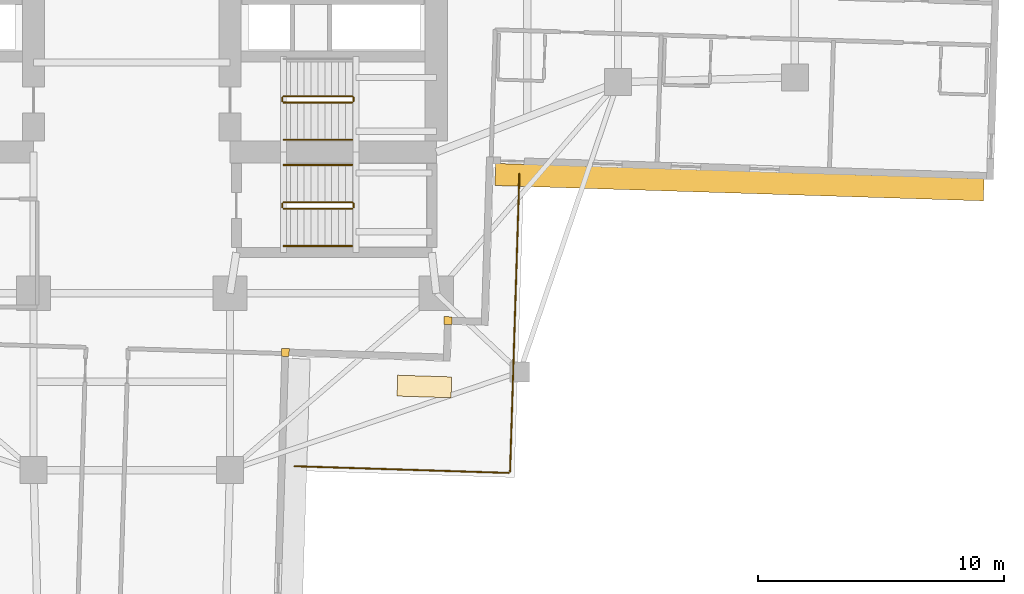
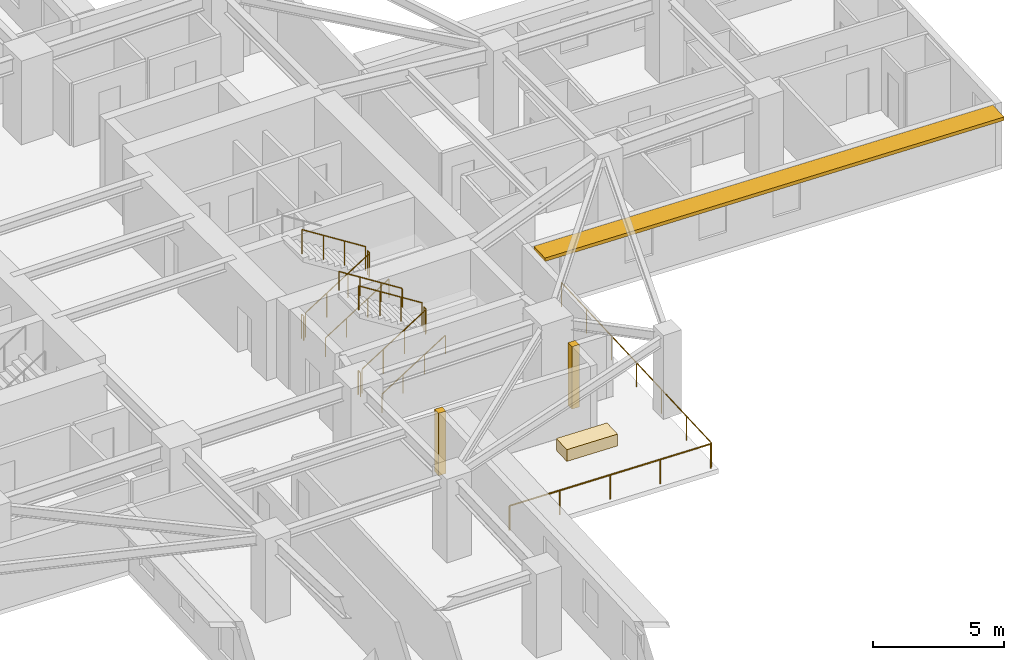
# One storey, part 11 of 13: 13 railings, 3 coverings, 1 shading device.
"""IFC4 building model written with IfcOpenShell, lengths in metres."""

from ifc_helpers import new_model, si_unit, direction, frame, origin, origin_2d, place, context, subcontext, project, spatial, rectangle, circle, extrude, material, layer, layer_set, type_object, element, save


model = new_model("IFC4")

# Units and contexts
model_context = context("Model", 3, precision=1e-05, world=origin(), true_north=direction((0.0, 1.0)))
body_context = subcontext(model_context, "Body", "Model", "MODEL_VIEW")
ifc_project = project(units=[si_unit("LENGTHUNIT", "METRE"), si_unit("AREAUNIT", "SQUARE_METRE"), si_unit("VOLUMEUNIT", "CUBIC_METRE"), si_unit("PLANEANGLEUNIT", "RADIAN"), si_unit("MASSUNIT", "GRAM", prefix="KILO")], contexts=[model_context])

# Site, building, storey
site_placement = place(None, origin())
site = spatial("IfcSite", under=ifc_project, at=site_placement, CompositionType="ELEMENT")
building_placement = place(site_placement, origin())
building = spatial("IfcBuilding", under=site, at=building_placement, Name="Qingluan Cross Belvedere", CompositionType="ELEMENT")
storey_placement = place(building_placement, frame((0.0, 0.0, 71.699951171875)))
storey = spatial("IfcBuildingStorey", under=building, at=storey_placement, Name="L18", CompositionType="ELEMENT", Elevation=71.699951171875)

# Coverings
ifc_material_1 = material(Name="Precast concrete C45", Category="concrete")
ifc_layer_1 = layer(ifc_material_1, 0.1201171875, Name="ConcreteSpandrelCladding_120")
ifc_layer_set_1 = layer_set([ifc_layer_1], Name="Precast concrete C45")
covering_type_1 = type_object("IfcCoveringType", Name="ConcreteSpandrelCladding_120", PredefinedType="CLADDING", material=ifc_layer_set_1)
for number, where, z_axis, x_axis, name in (
    (1, (12.875732421875, -13.711181640625, 0.0), (0.0, 0.0, 1.0), (0.999506560366, -0.031410759078, 0.0), "Corner closure L18-SE1"),
    (2, (6.251708984375, -15.00390625, 0.0), (0.0, 0.0, 1.0), (0.999506560366, -0.031410759078, 0.0), "Corner closure L18-SE2"),
):
    element("IfcCovering", number, at=place(storey_placement, frame(where, z_axis=z_axis, x_axis=x_axis)), inside=storey, type_object=covering_type_1, Name=name, PredefinedType="CLADDING", context=body_context, shape_type="SweptSolid", body=[
        extrude(rectangle(XDim=0.320068359375, YDim=0.320068359375, at=origin_2d()), origin(), (0.0, 0.0, 1.0), 2.909912109375),
    ])

# Shading device
ifc_material_2 = material(Name="Precast concrete C45", Category="concrete")
ifc_layer_2 = layer(ifc_material_2, 0.159912109375, Name="ConcreteSunshadeBand_900")
ifc_layer_set_2 = layer_set([ifc_layer_2], Name="Precast concrete C45")
shading_device_type = type_object("IfcShadingDeviceType", Name="ConcreteSunshadeBand_900", PredefinedType="USERDEFINED", material=ifc_layer_set_2)
shading_device_placement = place(storey_placement, frame((24.74853515625, -8.0712890625, 2.72998046875), z_axis=(0.0, 0.0, 1.0), x_axis=(0.999506649124, -0.031407934627, 0.0)))
element("IfcShadingDevice", 3, at=shading_device_placement, inside=storey, type_object=shading_device_type, Name="Concrete SUNSHADE L18-EA", ObjectType="SUNSHADE", PredefinedType="USERDEFINED", context=body_context, shape_type="SweptSolid", body=[
    extrude(rectangle(XDim=19.89990234375, YDim=0.89990234375, at=origin_2d()), origin(), (0.0, 0.0, 1.0), 0.159912109375),
])

# Railings
ifc_material_3 = material(Name="Brushed stainless steel tubular handrail", Category="steel")
railing_type_1 = type_object("IfcRailingType", Name="StairPitchHandrail_900", PredefinedType="HANDRAIL", material=ifc_material_3)
for number, where, name in (
    (4, (6.179931640625, -6.35009765625, 0.17724609375), "L18 ST2 stair handrail 1"),
    (5, (6.179931640625, -10.669921875, 0.17724609375), "L18 ST4 stair handrail 1"),
):
    element("IfcRailing", number, at=place(storey_placement, frame(where)), inside=storey, type_object=railing_type_1, Name=name, PredefinedType="HANDRAIL", context=body_context, shape_type="SweptSolid", body=[
        extrude(circle(Radius=0.02392578125, at=origin_2d()), frame((0.0, 0.0, 0.8759765625), z_axis=(0.844908973607, 0.0, 0.534910110503), x_axis=(0.0, 1.0, 0.0)), (0.0, 0.0, 1.0), 3.31396484375),
        extrude(circle(Radius=0.02099609375, at=origin_2d()), origin(), (0.0, 0.0, 1.0), 0.851806640625),
        extrude(circle(Radius=0.02099609375, at=origin_2d()), frame((0.933349609375, 0.0, 0.5908203125)), (0.0, 0.0, 1.0), 0.851806640625),
        extrude(circle(Radius=0.02099609375, at=origin_2d()), frame((1.86669921875, 0.0, 1.181884765625)), (0.0, 0.0, 1.0), 0.851806640625),
        extrude(circle(Radius=0.02099609375, at=origin_2d()), frame((2.800048828125, 0.0, 1.772705078125)), (0.0, 0.0, 1.0), 0.851806640625),
    ])
railing_1_placement = place(storey_placement, frame((8.97998046875, -7.3701171875, 2.12744140625)))
element("IfcRailing", 6, at=railing_1_placement, inside=storey, type_object=railing_type_1, Name="L18 ST4 stair handrail 2", PredefinedType="HANDRAIL", context=body_context, shape_type="SweptSolid", body=[
    extrude(circle(Radius=0.02392578125, at=origin_2d()), frame((0.0, 0.0, 0.8759765625), z_axis=(-0.844908973607, 0.0, 0.534910110503), x_axis=(0.0, -1.0, 0.0)), (0.0, 0.0, 1.0), 3.31396484375),
    extrude(circle(Radius=0.02099609375, at=origin_2d()), origin(), (0.0, 0.0, 1.0), 0.851806640625),
    extrude(circle(Radius=0.02099609375, at=origin_2d()), frame((-0.933349609375, 0.0, 0.5908203125)), (0.0, 0.0, 1.0), 0.851806640625),
    extrude(circle(Radius=0.02099609375, at=origin_2d()), frame((-1.86669921875, 0.0, 1.181884765625)), (0.0, 0.0, 1.0), 0.851806640625),
    extrude(circle(Radius=0.02099609375, at=origin_2d()), frame((-2.800048828125, 0.0, 1.772705078125)), (0.0, 0.0, 1.0), 0.851806640625),
])
ifc_material_4 = material(Name="Painted steel stair well guard", Category="steel")
railing_type_2 = type_object("IfcRailingType", Name="StairWellGuard_1150", PredefinedType="BALUSTRADE", material=ifc_material_4)
railing_2_placement = place(storey_placement, frame((6.179931640625, -4.830078125, 0.17724609375)))
element("IfcRailing", 7, at=railing_2_placement, inside=storey, type_object=railing_type_2, Name="L18 ST2 stair guard 1", PredefinedType="BALUSTRADE", context=body_context, shape_type="SweptSolid", body=[
    extrude(circle(Radius=0.02392578125, at=origin_2d()), frame((0.0, 0.0, 1.1259765625), z_axis=(0.844908973607, 0.0, 0.534910110503), x_axis=(0.0, 1.0, 0.0)), (0.0, 0.0, 1.0), 3.31396484375),
    extrude(circle(Radius=0.02099609375, at=origin_2d()), origin(), (0.0, 0.0, 1.0), 1.101806640625),
    extrude(circle(Radius=0.02099609375, at=origin_2d()), frame((0.933349609375, 0.0, 0.5908203125)), (0.0, 0.0, 1.0), 1.101806640625),
    extrude(circle(Radius=0.02099609375, at=origin_2d()), frame((1.86669921875, 0.0, 1.181884765625)), (0.0, 0.0, 1.0), 1.101806640625),
    extrude(circle(Radius=0.02099609375, at=origin_2d()), frame((2.800048828125, 0.0, 1.772705078125)), (0.0, 0.0, 1.0), 1.101806640625),
])
railing_3_placement = place(storey_placement, frame((9.030029296875, -4.780029296875, 1.949951171875)))
element("IfcRailing", 8, at=railing_3_placement, inside=storey, type_object=railing_type_2, Name="L18 ST2 stair guard 2", PredefinedType="BALUSTRADE", context=body_context, shape_type="SweptSolid", body=[
    extrude(circle(Radius=0.02392578125, at=origin_2d()), frame((0.0, 0.0, 1.1259765625), z_axis=(0.0, 1.0, 0.0), x_axis=(-1.0, 0.0, 0.0)), (0.0, 0.0, 1.0), 0.159912109375),
    extrude(circle(Radius=0.02099609375, at=origin_2d()), origin(), (0.0, 0.0, 1.0), 1.101806640625),
    extrude(circle(Radius=0.02099609375, at=origin_2d()), frame((0.0, 0.159912109375, 0.0)), (0.0, 0.0, 1.0), 1.101806640625),
])
railing_4_placement = place(storey_placement, frame((8.97998046875, -4.570068359375, 2.12744140625)))
element("IfcRailing", 9, at=railing_4_placement, inside=storey, type_object=railing_type_2, Name="L18 ST2 stair guard 3", PredefinedType="BALUSTRADE", context=body_context, shape_type="SweptSolid", body=[
    extrude(circle(Radius=0.02392578125, at=origin_2d()), frame((0.0, 0.0, 1.1259765625), z_axis=(-0.844908973607, 0.0, 0.534910110503), x_axis=(0.0, -1.0, 0.0)), (0.0, 0.0, 1.0), 3.31396484375),
    extrude(circle(Radius=0.02099609375, at=origin_2d()), origin(), (0.0, 0.0, 1.0), 1.101806640625),
    extrude(circle(Radius=0.02099609375, at=origin_2d()), frame((-0.933349609375, 0.0, 0.5908203125)), (0.0, 0.0, 1.0), 1.101806640625),
    extrude(circle(Radius=0.02099609375, at=origin_2d()), frame((-1.86669921875, 0.0, 1.181884765625)), (0.0, 0.0, 1.0), 1.101806640625),
    extrude(circle(Radius=0.02099609375, at=origin_2d()), frame((-2.800048828125, 0.0, 1.772705078125)), (0.0, 0.0, 1.0), 1.101806640625),
])
railing_5_placement = place(storey_placement, frame((6.1298828125, -4.780029296875, 0.0)))
element("IfcRailing", 10, at=railing_5_placement, inside=storey, type_object=railing_type_2, Name="L18 ST2 stair guard 4", PredefinedType="BALUSTRADE", context=body_context, shape_type="SweptSolid", body=[
    extrude(circle(Radius=0.02392578125, at=origin_2d()), frame((0.0, 0.0, 1.1259765625), z_axis=(0.0, 1.0, 0.0), x_axis=(-1.0, 0.0, 0.0)), (0.0, 0.0, 1.0), 0.159912109375),
    extrude(circle(Radius=0.02099609375, at=origin_2d()), origin(), (0.0, 0.0, 1.0), 1.101806640625),
    extrude(circle(Radius=0.02099609375, at=origin_2d()), frame((0.0, 0.159912109375, 0.0)), (0.0, 0.0, 1.0), 1.101806640625),
])
railing_6_placement = place(storey_placement, frame((6.179931640625, -9.14990234375, 0.17724609375)))
element("IfcRailing", 11, at=railing_6_placement, inside=storey, type_object=railing_type_2, Name="L18 ST4 stair guard 1", PredefinedType="BALUSTRADE", context=body_context, shape_type="SweptSolid", body=[
    extrude(circle(Radius=0.02392578125, at=origin_2d()), frame((0.0, 0.0, 1.1259765625), z_axis=(0.844908973607, 0.0, 0.534910110503), x_axis=(0.0, 1.0, 0.0)), (0.0, 0.0, 1.0), 3.31396484375),
    extrude(circle(Radius=0.02099609375, at=origin_2d()), origin(), (0.0, 0.0, 1.0), 1.101806640625),
    extrude(circle(Radius=0.02099609375, at=origin_2d()), frame((0.933349609375, 0.0, 0.5908203125)), (0.0, 0.0, 1.0), 1.101806640625),
    extrude(circle(Radius=0.02099609375, at=origin_2d()), frame((1.86669921875, 0.0, 1.181884765625)), (0.0, 0.0, 1.0), 1.101806640625),
    extrude(circle(Radius=0.02099609375, at=origin_2d()), frame((2.800048828125, 0.0, 1.772705078125)), (0.0, 0.0, 1.0), 1.101806640625),
])
railing_7_placement = place(storey_placement, frame((9.030029296875, -9.10009765625, 1.949951171875)))
element("IfcRailing", 12, at=railing_7_placement, inside=storey, type_object=railing_type_2, Name="L18 ST4 stair guard 2", PredefinedType="BALUSTRADE", context=body_context, shape_type="SweptSolid", body=[
    extrude(circle(Radius=0.02392578125, at=origin_2d()), frame((0.0, 0.0, 1.1259765625), z_axis=(0.0, 1.0, 0.0), x_axis=(-1.0, 0.0, 0.0)), (0.0, 0.0, 1.0), 0.16015625),
    extrude(circle(Radius=0.02099609375, at=origin_2d()), origin(), (0.0, 0.0, 1.0), 1.101806640625),
    extrude(circle(Radius=0.02099609375, at=origin_2d()), frame((0.0, 0.16015625, 0.0)), (0.0, 0.0, 1.0), 1.101806640625),
])
railing_8_placement = place(storey_placement, frame((8.97998046875, -8.889892578125, 2.12744140625)))
element("IfcRailing", 13, at=railing_8_placement, inside=storey, type_object=railing_type_2, Name="L18 ST4 stair guard 3", PredefinedType="BALUSTRADE", context=body_context, shape_type="SweptSolid", body=[
    extrude(circle(Radius=0.02392578125, at=origin_2d()), frame((0.0, 0.0, 1.1259765625), z_axis=(-0.844908973607, 0.0, 0.534910110503), x_axis=(0.0, -1.0, 0.0)), (0.0, 0.0, 1.0), 3.31396484375),
    extrude(circle(Radius=0.02099609375, at=origin_2d()), origin(), (0.0, 0.0, 1.0), 1.101806640625),
    extrude(circle(Radius=0.02099609375, at=origin_2d()), frame((-0.933349609375, 0.0, 0.5908203125)), (0.0, 0.0, 1.0), 1.101806640625),
    extrude(circle(Radius=0.02099609375, at=origin_2d()), frame((-1.86669921875, 0.0, 1.181884765625)), (0.0, 0.0, 1.0), 1.101806640625),
    extrude(circle(Radius=0.02099609375, at=origin_2d()), frame((-2.800048828125, 0.0, 1.772705078125)), (0.0, 0.0, 1.0), 1.101806640625),
])
railing_9_placement = place(storey_placement, frame((6.1298828125, -9.10009765625, 0.0)))
element("IfcRailing", 14, at=railing_9_placement, inside=storey, type_object=railing_type_2, Name="L18 ST4 stair guard 4", PredefinedType="BALUSTRADE", context=body_context, shape_type="SweptSolid", body=[
    extrude(circle(Radius=0.02392578125, at=origin_2d()), frame((0.0, 0.0, 1.1259765625), z_axis=(0.0, 1.0, 0.0), x_axis=(-1.0, 0.0, 0.0)), (0.0, 0.0, 1.0), 0.16015625),
    extrude(circle(Radius=0.02099609375, at=origin_2d()), origin(), (0.0, 0.0, 1.0), 1.101806640625),
    extrude(circle(Radius=0.02099609375, at=origin_2d()), frame((0.0, 0.16015625, 0.0)), (0.0, 0.0, 1.0), 1.101806640625),
])
ifc_material_5 = material(Name="Laminated glass and stainless steel balustrade", Category="steel")
railing_type_3 = type_object("IfcRailingType", Name="TerraceGuardBalustrade_1150", PredefinedType="BALUSTRADE", material=ifc_material_5)
railing_10_placement = place(storey_placement, frame((15.78466796875, -7.739501953125, 0.0)))
element("IfcRailing", 15, at=railing_10_placement, inside=storey, type_object=railing_type_3, Name="Terrace guard L18-1", PredefinedType="BALUSTRADE", context=body_context, shape_type="SweptSolid", body=[
    extrude(circle(Radius=0.02392578125, at=origin_2d()), frame((0.0, 0.0, 1.1259765625), z_axis=(-0.031403286853, -0.999506795162, 0.0), x_axis=(0.999506795162, -0.031403286853, 0.0)), (0.0, 0.0, 1.0), 12.1201171875),
    extrude(circle(Radius=0.02099609375, at=origin_2d()), origin(), (0.0, 0.0, 1.0), 1.101806640625),
    extrude(circle(Radius=0.02099609375, at=origin_2d()), frame((-0.0634765625, -2.01904296875, 0.0)), (0.0, 0.0, 1.0), 1.101806640625),
    extrude(circle(Radius=0.02099609375, at=origin_2d()), frame((-0.126953125, -4.0380859375, 0.0)), (0.0, 0.0, 1.0), 1.101806640625),
    extrude(circle(Radius=0.02099609375, at=origin_2d()), frame((-0.1904296875, -6.05712890625, 0.0)), (0.0, 0.0, 1.0), 1.101806640625),
    extrude(circle(Radius=0.02099609375, at=origin_2d()), frame((-0.253662109375, -8.076171875, 0.0)), (0.0, 0.0, 1.0), 1.101806640625),
    extrude(circle(Radius=0.02099609375, at=origin_2d()), frame((-0.317138671875, -10.09521484375, 0.0)), (0.0, 0.0, 1.0), 1.101806640625),
    extrude(circle(Radius=0.02099609375, at=origin_2d()), frame((-0.380615234375, -12.1142578125, 0.0)), (0.0, 0.0, 1.0), 1.101806640625),
])
railing_11_placement = place(storey_placement, frame((15.34228515625, -19.91162109375, 0.0)))
element("IfcRailing", 16, at=railing_11_placement, inside=storey, type_object=railing_type_3, Name="Terrace guard L18-2", PredefinedType="BALUSTRADE", context=body_context, shape_type="SweptSolid", body=[
    extrude(circle(Radius=0.02392578125, at=origin_2d()), frame((0.0, 0.0, 1.1259765625), z_axis=(-0.999506488021, 0.031413061052, 0.0), x_axis=(-0.031413061052, -0.999506488021, 0.0)), (0.0, 0.0, 1.0), 8.72021484375),
    extrude(circle(Radius=0.02099609375, at=origin_2d()), origin(), (0.0, 0.0, 1.0), 1.101806640625),
    extrude(circle(Radius=0.02099609375, at=origin_2d()), frame((-2.178955078125, 0.068359375, 0.0)), (0.0, 0.0, 1.0), 1.101806640625),
    extrude(circle(Radius=0.02099609375, at=origin_2d()), frame((-4.35791015625, 0.136962890625, 0.0)), (0.0, 0.0, 1.0), 1.101806640625),
    extrude(circle(Radius=0.02099609375, at=origin_2d()), frame((-6.536865234375, 0.20556640625, 0.0)), (0.0, 0.0, 1.0), 1.101806640625),
    extrude(circle(Radius=0.02099609375, at=origin_2d()), frame((-8.7158203125, 0.27392578125, 0.0)), (0.0, 0.0, 1.0), 1.101806640625),
])

# Covering
ifc_material_6 = material(Name="Precast concrete C40", Category="concrete")
ifc_layer_3 = layer(ifc_material_6, 0.550048828125, Name="TerracePlanterBox")
ifc_layer_set_3 = layer_set([ifc_layer_3], Name="Precast concrete C40")
covering_type_2 = type_object("IfcCoveringType", Name="TerracePlanterBox", PredefinedType="USERDEFINED", material=ifc_layer_set_3)
covering_placement = place(storey_placement, frame((11.916015625, -16.39208984375, 0.0), z_axis=(0.0, 0.0, 1.0), x_axis=(0.999506560366, -0.031410759078, 0.0)))
element("IfcCovering", 17, at=covering_placement, inside=storey, type_object=covering_type_2, Name="Spiralling winter-garden planter L18", ObjectType="PLANTER", PredefinedType="USERDEFINED", context=body_context, shape_type="SweptSolid", body=[
    extrude(rectangle(XDim=2.199951171875, YDim=0.85009765625, at=origin_2d()), origin(), (0.0, 0.0, 1.0), 0.550048828125),
])

save(model, "model.ifc")
